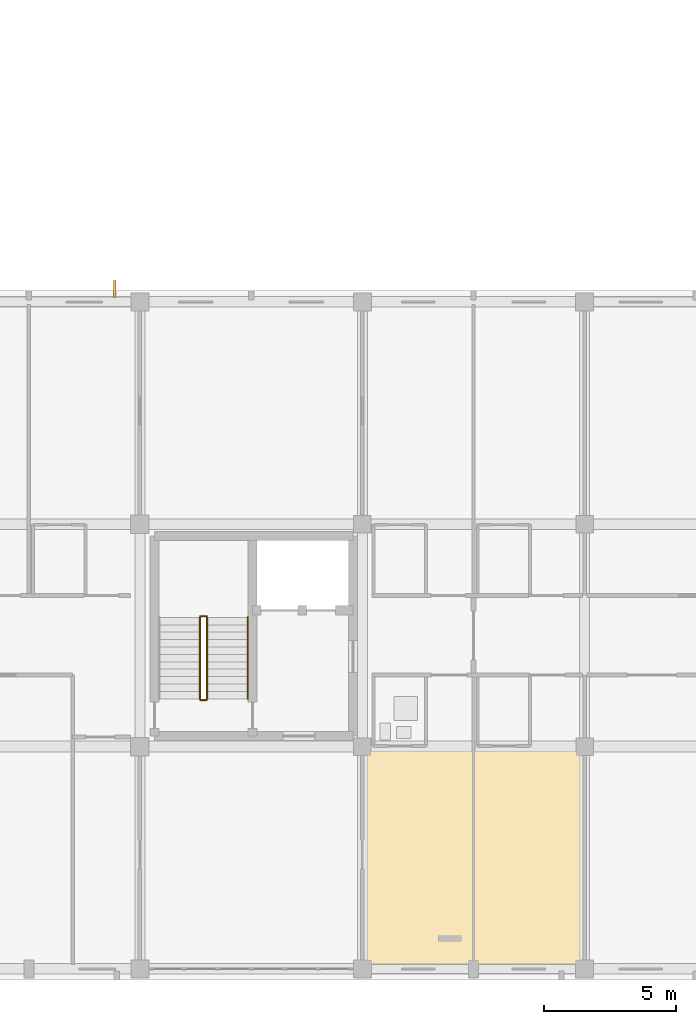
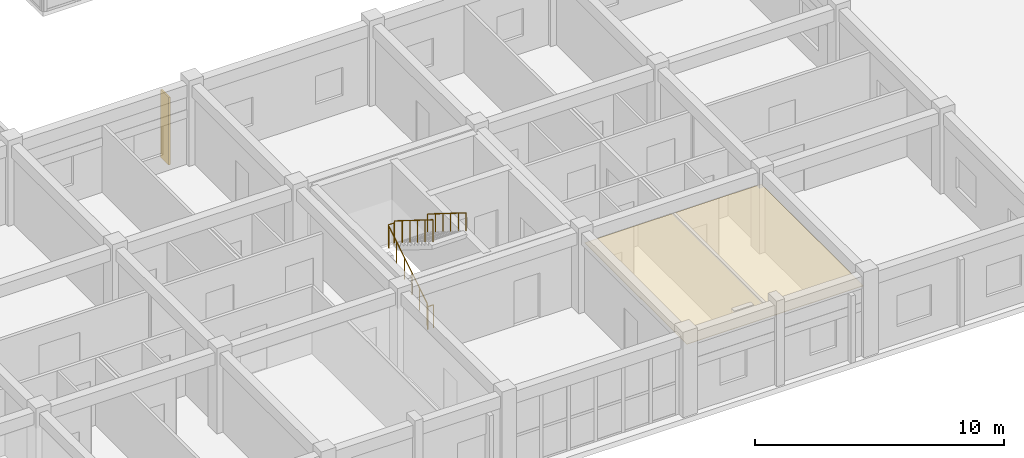
# One storey, part 131 of 140: 5 railings, 1 covering, 1 shading device.
"""IFC4 building model written with IfcOpenShell, lengths in metres."""

from ifc_helpers import new_model, si_unit, direction, frame, origin, origin_2d, place, context, subcontext, project, spatial, polyline, rectangle, circle, outline, extrude, material, layer, layer_set, type_object, element, save


model = new_model("IFC4")

# Units and contexts
model_context = context("Model", 3, precision=1e-05, world=origin(), true_north=direction((0.0, 1.0)))
body_context = subcontext(model_context, "Body", "Model", "MODEL_VIEW")
ifc_project = project(units=[si_unit("LENGTHUNIT", "METRE"), si_unit("AREAUNIT", "SQUARE_METRE"), si_unit("VOLUMEUNIT", "CUBIC_METRE"), si_unit("PLANEANGLEUNIT", "RADIAN"), si_unit("MASSUNIT", "GRAM", prefix="KILO")], contexts=[model_context])

# Site, building, storey
site_placement = place(None, origin())
site = spatial("IfcSite", under=ifc_project, at=site_placement, CompositionType="ELEMENT")
building_placement = place(site_placement, origin())
building = spatial("IfcBuilding", under=site, at=building_placement, Name="Trelvath General Hospital", CompositionType="ELEMENT")
storey_placement = place(building_placement, frame((0.0, 0.0, 16.199951171875)))
storey = spatial("IfcBuildingStorey", under=building, at=storey_placement, Name="L04", CompositionType="ELEMENT", Elevation=16.199951171875)

# Covering
ifc_material_1 = material(Name="Hygienic acoustic ceiling tile")
ifc_layer = layer(ifc_material_1, 0.02490234375)
ifc_layer_set = layer_set([ifc_layer], Name="Hygienic acoustic ceiling tile")
covering_type = type_object("IfcCoveringType", Name="Ceiling ClinicalAcoustic", PredefinedType="CEILING", material=ifc_layer_set)
covering_placement = place(storey_placement, frame((0.0, 0.0, 3.179931640625)))
element("IfcCovering", 1, at=covering_placement, inside=storey, type_object=covering_type, Name="Clinical Acoustic Ceiling L04-54", PredefinedType="CEILING", context=body_context, shape_type="SweptSolid", body=[
    extrude(outline(polyline([(100.89990234375, 0.10009765625), (109.10009765625, 0.10009765625), (109.10009765625, 8.320068359375), (100.89990234375, 8.320068359375), (100.89990234375, 0.10009765625)])), origin(), (0.0, 0.0, 1.0), 0.025146484375),
])

# Railings
ifc_material_2 = material(Name="Architectural painted steel", Category="steel")
railing_type_1 = type_object("IfcRailingType", Name="Guardrail Terrace1150", PredefinedType="GUARDRAIL", material=ifc_material_2)
railing_1_placement = place(storey_placement, frame((94.669921875, 10.159912109375, 0.0)))
element("IfcRailing", 2, at=railing_1_placement, inside=storey, type_object=railing_type_1, Name="Stair Well Edge Guard C5 L04 180", PredefinedType="GUARDRAIL", context=body_context, shape_type="SweptSolid", body=[
    extrude(circle(Radius=0.02392578125, at=origin_2d()), frame((0.0, 0.0, 1.1259765625), z_axis=(1.0, 0.0, 0.0), x_axis=(0.0, 1.0, 0.0)), (0.0, 0.0, 1.0), 0.260009765625),
    extrude(circle(Radius=0.02099609375, at=origin_2d()), origin(), (0.0, 0.0, 1.0), 1.099853515625),
    extrude(circle(Radius=0.02099609375, at=origin_2d()), frame((0.260009765625, 0.0, 0.0)), (0.0, 0.0, 1.0), 1.099853515625),
])
railing_2_placement = place(storey_placement, frame((94.929931640625, 13.280029296875, 2.275146484375)))
element("IfcRailing", 3, at=railing_2_placement, inside=storey, type_object=railing_type_1, Name="Stair Rail ST5 L04 F2 L 182", PredefinedType="GUARDRAIL", context=body_context, shape_type="SweptSolid", body=[
    extrude(circle(Radius=0.02392578125, at=origin_2d()), frame((0.0, 0.0, 1.076171875), z_axis=(0.0, -0.848028513186, 0.529950602248), x_axis=(1.0, 0.0, 0.0)), (0.0, 0.0, 1.0), 3.632080078125),
    extrude(circle(Radius=0.02099609375, at=origin_2d()), origin(), (0.0, 0.0, 1.0), 1.050048828125),
    extrude(circle(Radius=0.02099609375, at=origin_2d()), frame((0.0, -0.615966796875, 0.385009765625)), (0.0, 0.0, 1.0), 1.050048828125),
    extrude(circle(Radius=0.02099609375, at=origin_2d()), frame((0.0, -1.23193359375, 0.77001953125)), (0.0, 0.0, 1.0), 1.050048828125),
    extrude(circle(Radius=0.02099609375, at=origin_2d()), frame((0.0, -1.84814453125, 1.15478515625)), (0.0, 0.0, 1.0), 1.050048828125),
    extrude(circle(Radius=0.02099609375, at=origin_2d()), frame((0.0, -2.464111328125, 1.539794921875)), (0.0, 0.0, 1.0), 1.050048828125),
    extrude(circle(Radius=0.02099609375, at=origin_2d()), frame((0.0, -3.080078125, 1.9248046875)), (0.0, 0.0, 1.0), 1.050048828125),
])
railing_3_placement = place(storey_placement, frame((94.669921875, 10.199951171875, 0.175048828125)))
element("IfcRailing", 4, at=railing_3_placement, inside=storey, type_object=railing_type_1, Name="Stair Rail ST5 L04 F1 R 183", PredefinedType="GUARDRAIL", context=body_context, shape_type="SweptSolid", body=[
    extrude(circle(Radius=0.02392578125, at=origin_2d()), frame((0.0, 0.0, 1.076171875), z_axis=(0.0, 0.847998304005, 0.529998940003), x_axis=(-1.0, 0.0, 0.0)), (0.0, 0.0, 1.0), 3.632080078125),
    extrude(circle(Radius=0.02099609375, at=origin_2d()), origin(), (0.0, 0.0, 1.0), 1.050048828125),
    extrude(circle(Radius=0.02099609375, at=origin_2d()), frame((0.0, 0.615966796875, 0.385009765625)), (0.0, 0.0, 1.0), 1.050048828125),
    extrude(circle(Radius=0.02099609375, at=origin_2d()), frame((0.0, 1.23193359375, 0.77001953125)), (0.0, 0.0, 1.0), 1.050048828125),
    extrude(circle(Radius=0.02099609375, at=origin_2d()), frame((0.0, 1.84814453125, 1.155029296875)), (0.0, 0.0, 1.0), 1.050048828125),
    extrude(circle(Radius=0.02099609375, at=origin_2d()), frame((0.0, 2.464111328125, 1.5400390625)), (0.0, 0.0, 1.0), 1.050048828125),
    extrude(circle(Radius=0.02099609375, at=origin_2d()), frame((0.0, 3.080078125, 1.925048828125)), (0.0, 0.0, 1.0), 1.050048828125),
])
railing_4_placement = place(storey_placement, frame((94.669921875, 13.320068359375, 2.10009765625)))
element("IfcRailing", 5, at=railing_4_placement, inside=storey, type_object=railing_type_1, Name="Half-Landing Well Guard ST5 L04 185", PredefinedType="GUARDRAIL", context=body_context, shape_type="SweptSolid", body=[
    extrude(circle(Radius=0.02392578125, at=origin_2d()), frame((0.0, 0.0, 1.1259765625), z_axis=(1.0, 0.0, 0.0), x_axis=(0.0, 1.0, 0.0)), (0.0, 0.0, 1.0), 0.260009765625),
    extrude(circle(Radius=0.02099609375, at=origin_2d()), origin(), (0.0, 0.0, 1.0), 1.099853515625),
    extrude(circle(Radius=0.02099609375, at=origin_2d()), frame((0.260009765625, 0.0, 0.0)), (0.0, 0.0, 1.0), 1.099853515625),
])
ifc_material_3 = material(Name="Brushed stainless steel", Category="steel")
railing_type_2 = type_object("IfcRailingType", Name="Handrail Stair900", PredefinedType="HANDRAIL", material=ifc_material_3)
railing_5_placement = place(storey_placement, frame((96.469970703125, 13.280029296875, 2.275146484375)))
element("IfcRailing", 6, at=railing_5_placement, inside=storey, type_object=railing_type_2, Name="Stair Rail ST5 L04 F2 R 184", PredefinedType="HANDRAIL", context=body_context, shape_type="SweptSolid", body=[
    extrude(circle(Radius=0.02392578125, at=origin_2d()), frame((0.0, 0.0, 0.8759765625), z_axis=(0.0, -0.848028513186, 0.529950602248), x_axis=(1.0, 0.0, 0.0)), (0.0, 0.0, 1.0), 3.632080078125),
    extrude(circle(Radius=0.02099609375, at=origin_2d()), origin(), (0.0, 0.0, 1.0), 0.849853515625),
    extrude(circle(Radius=0.02099609375, at=origin_2d()), frame((0.0, -0.615966796875, 0.385009765625)), (0.0, 0.0, 1.0), 0.849853515625),
    extrude(circle(Radius=0.02099609375, at=origin_2d()), frame((0.0, -1.23193359375, 0.77001953125)), (0.0, 0.0, 1.0), 0.849853515625),
    extrude(circle(Radius=0.02099609375, at=origin_2d()), frame((0.0, -1.84814453125, 1.15478515625)), (0.0, 0.0, 1.0), 0.849853515625),
    extrude(circle(Radius=0.02099609375, at=origin_2d()), frame((0.0, -2.464111328125, 1.539794921875)), (0.0, 0.0, 1.0), 0.849853515625),
    extrude(circle(Radius=0.02099609375, at=origin_2d()), frame((0.0, -3.080078125, 1.9248046875)), (0.0, 0.0, 1.0), 0.849853515625),
])

# Shading device
ifc_material_4 = material(Name="Anodised aluminium", Category="aluminium")
shading_device_type = type_object("IfcShadingDeviceType", Name="SolarScreen PerforatedAlu", PredefinedType="JALOUSIE", material=ifc_material_4)
shading_device_placement = place(storey_placement, frame((91.446533203125, 25.679931640625, 0.0), z_axis=(0.0, 0.0, 1.0), x_axis=(0.0, 1.0, 0.0)))
element("IfcShadingDevice", 7, at=shading_device_placement, inside=storey, type_object=shading_device_type, Name="Solar Brise-Soleil Screen L04-76", PredefinedType="JALOUSIE", context=body_context, shape_type="SweptSolid", body=[
    extrude(rectangle(XDim=0.64990234375, YDim=0.080078125, at=origin_2d()), origin(), (0.0, 0.0, 1.0), 3.320068359375),
])

save(model, "model.ifc")
